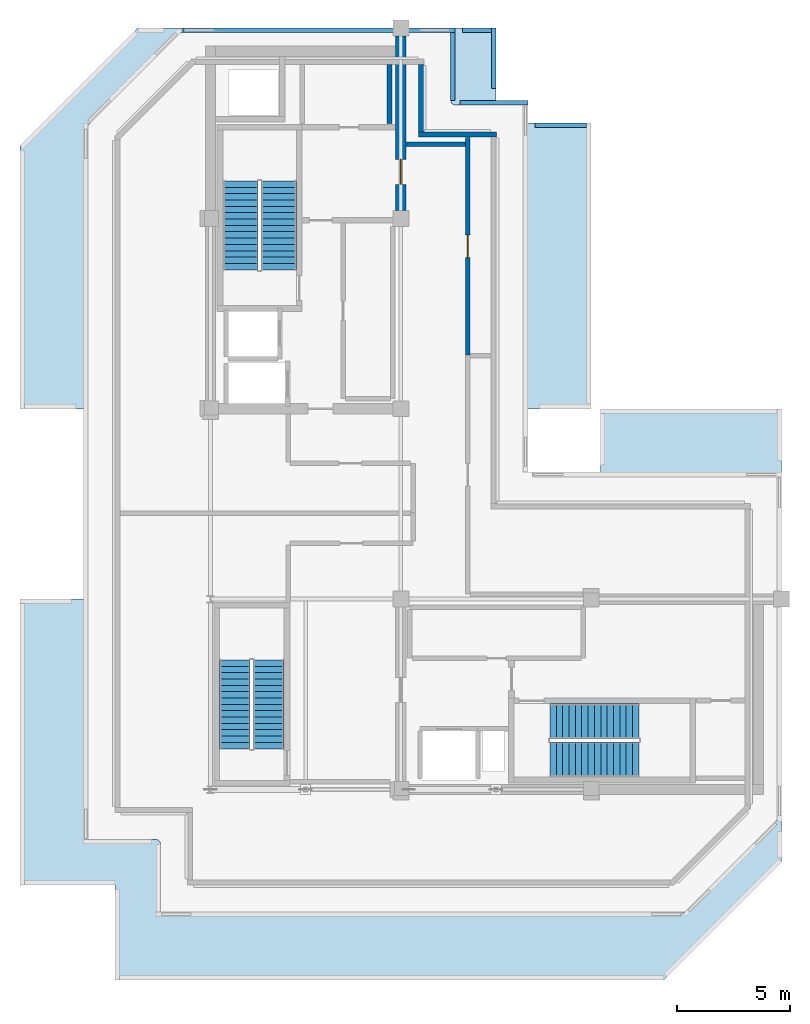
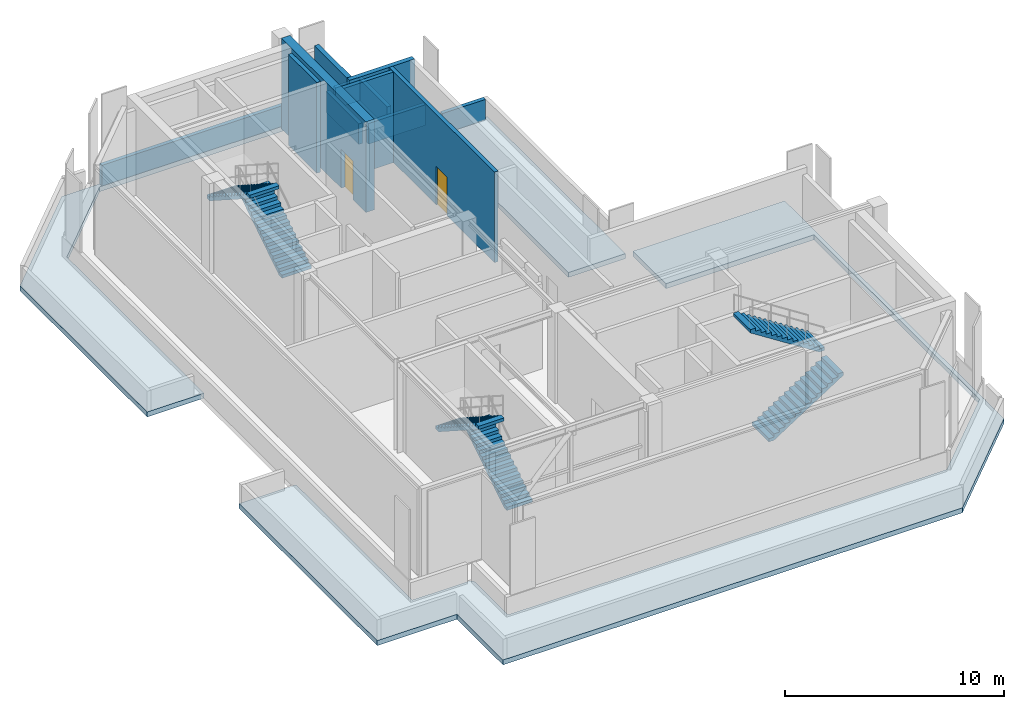
# One storey, part 6 of 9: 12 walls, 6 stair flights, 3 roofs, 2 doors, 2 openings, 3 elements without a shape of their own.
"""IFC4 building model written with IfcOpenShell, lengths in metres."""

from ifc_helpers import new_model, si_unit, direction, frame, frame_2d, origin, place, context, subcontext, project, spatial, polyline, rectangle, outline, extrude, material, layer, layer_set, type_object, element, fill, aggregate, save


model = new_model("IFC4")

# Units and contexts
model_context = context("Model", 3, precision=1e-05, world=origin(), true_north=direction((0.0, 1.0)))
body_context = subcontext(model_context, "Body", "Model", "MODEL_VIEW")
ifc_project = project(units=[si_unit("LENGTHUNIT", "METRE"), si_unit("AREAUNIT", "SQUARE_METRE"), si_unit("VOLUMEUNIT", "CUBIC_METRE"), si_unit("PLANEANGLEUNIT", "RADIAN"), si_unit("MASSUNIT", "GRAM", prefix="KILO")], contexts=[model_context])

# Site, building, storey
site_placement = place(None, origin())
site = spatial("IfcSite", under=ifc_project, at=site_placement, CompositionType="ELEMENT")
building_placement = place(site_placement, origin())
building = spatial("IfcBuilding", under=site, at=building_placement, Name="Nerrivon Quay Data Exchange", CompositionType="ELEMENT")
storey_placement = place(building_placement, frame((0.0, 0.0, 333.0)))
storey = spatial("IfcBuildingStorey", under=building, at=storey_placement, Name="L79", CompositionType="ELEMENT", Elevation=333.0)

# Walls
ifc_material_1 = material(Name="Architectural terracotta precast concrete N50 (50 MPa)", Category="masonry")
ifc_layer_1 = layer(ifc_material_1, 0.239990234375)
ifc_layer_set_1 = layer_set([ifc_layer_1], Name="Architectural terracotta precast concrete N50 (50 MPa)")
wall_type_1 = type_object("IfcWallType", Name="EW-PREC-240", PredefinedType="STANDARD", material=ifc_layer_set_1)
wall_1_placement = place(storey_placement, frame((17.699951171875, 40.3798828125, 0.0), z_axis=(0.0, 0.0, 1.0), x_axis=(0.0, -1.0, 0.0)))
element("IfcWall", 1, at=wall_1_placement, inside=storey, type_object=wall_type_1, Name="L79 Recessed Turbine Plant Wall 9", PredefinedType="STANDARD", context=body_context, shape_type="SweptSolid", body=[
    extrude(rectangle(XDim=2.9599609375, YDim=0.239990234375, at=frame_2d((1.47998046875, 0.0))), origin(), (0.0, 0.0, 1.0), 5.050048828125),
])
wall_2_placement = place(storey_placement, frame((17.580078125, 37.300048828125, 0.0), z_axis=(0.0, 0.0, 1.0), x_axis=(1.0, 0.0, 0.0)))
element("IfcWall", 2, at=wall_2_placement, inside=storey, type_object=wall_type_1, Name="L79 Recessed Turbine Plant Wall 10", PredefinedType="STANDARD", context=body_context, shape_type="SweptSolid", body=[
    extrude(rectangle(XDim=3.43994140625, YDim=0.239990234375, at=frame_2d((1.719970703125, 0.0))), origin(), (0.0, 0.0, 1.0), 5.050048828125),
])
ifc_material_2 = material(Name="Precast concrete N50 (50 MPa)", Category="concrete")
ifc_layer_2 = layer(ifc_material_2, 0.199951171875)
ifc_layer_set_2 = layer_set([ifc_layer_2], Name="Precast concrete N50 (50 MPa)")
wall_type_2 = type_object("IfcWallType", Name="PAR-RC-1", PredefinedType="PARAPET", material=ifc_layer_set_2)
wall_3_placement = place(storey_placement, frame((20.89990234375, 39.320068359375, 0.0), z_axis=(0.0, 0.0, 1.0), x_axis=(0.0, 1.0, 0.0)))
element("IfcWall", 3, at=wall_3_placement, inside=storey, type_object=wall_type_2, Name="L79 Stepped Crown Parapet 2.3", PredefinedType="PARAPET", context=body_context, shape_type="SweptSolid", body=[
    extrude(rectangle(XDim=2.679931640625, YDim=0.199951171875, at=frame_2d((1.33984375, 0.0))), origin(), (0.0, 0.0, 1.0), 1.14990234375),
])
wall_4_placement = place(storey_placement, frame((20.800048828125, 41.89990234375, 0.0), z_axis=(0.0, 0.0, 1.0), x_axis=(-1.0, 0.0, 0.0)))
element("IfcWall", 4, at=wall_4_placement, inside=storey, type_object=wall_type_2, Name="L79 Stepped Crown Parapet 2.4", PredefinedType="PARAPET", context=body_context, shape_type="SweptSolid", body=[
    extrude(rectangle(XDim=1.280029296875, YDim=0.199951171875, at=frame_2d((0.64013671875, 0.0))), origin(), (0.0, 0.0, 1.0), 1.14990234375),
])
wall_5_placement = place(storey_placement, frame((25.0, 37.699951171875, 0.0), z_axis=(0.0, 0.0, 1.0), x_axis=(-1.0, 0.0, 0.0)))
element("IfcWall", 5, at=wall_5_placement, inside=storey, type_object=wall_type_2, Name="L79 Stepped Crown Parapet 3.3", PredefinedType="PARAPET", context=body_context, shape_type="SweptSolid", body=[
    extrude(rectangle(XDim=2.280029296875, YDim=0.199951171875, at=frame_2d((1.14013671875, 0.0))), origin(), (0.0, 0.0, 1.0), 1.14990234375),
])
wall_6_placement = place(storey_placement, frame((7.199951171875, 41.89990234375, 0.0), z_axis=(0.0, 0.0, 1.0), x_axis=(1.0, 0.0, 0.0)))
element("IfcWall", 6, at=wall_6_placement, inside=storey, type_object=wall_type_2, Name="L79 Turbine Slot Perimeter Parapet 7", PredefinedType="PARAPET", context=body_context, shape_type="SweptSolid", body=[
    extrude(rectangle(XDim=12.0, YDim=0.199951171875, at=frame_2d((6.0, 0.0))), origin(), (0.0, 0.0, 1.0), 1.14990234375),
])
for number, where, z_axis, x_axis, name in (
    (7, (19.10009765625, 41.800048828125, 0.0), (0.0, 0.0, 1.0), (0.0, -1.0, 0.0), "L79 Turbine Slot Perimeter Parapet 8"),
    (8, (19.39990234375, 38.699951171875, 0.0), (0.0, 0.0, 1.0), (1.0, 0.0, 0.0), "L79 Turbine Slot Perimeter Parapet 9"),
):
    element("IfcWall", number, at=place(storey_placement, frame(where, z_axis=z_axis, x_axis=x_axis)), inside=storey, type_object=wall_type_2, Name=name, PredefinedType="PARAPET", context=body_context, shape_type="SweptSolid", body=[
        extrude(rectangle(XDim=3.0, YDim=0.199951171875, at=frame_2d((1.5, 0.0))), origin(), (0.0, 0.0, 1.0), 1.14990234375),
    ])

# Wall, opening, door
ifc_material_3 = material(Name="Concrete N50 (50 MPa)", Category="concrete")
ifc_layer_3 = layer(ifc_material_3, 0.449951171875)
ifc_layer_set_3 = layer_set([ifc_layer_3], Name="Concrete N50 (50 MPa)")
wall_type_3 = type_object("IfcWallType", Name="WALL-CW-550", PredefinedType="SHEAR", material=ifc_layer_set_3)
wall_7_placement = place(storey_placement, frame((16.800048828125, 33.949951171875, 0.0), z_axis=(0.0, 0.0, 1.0), x_axis=(0.0, 1.0, 0.0)))
wall_7 = element("IfcWall", 9, at=wall_7_placement, inside=storey, type_object=wall_type_3, Name="L79 West Split-Core Shear Wall WCW-E1", PredefinedType="SHEAR", context=body_context, shape_type="SweptSolid", body=[
    extrude(rectangle(XDim=7.699951171875, YDim=0.449951171875, at=frame_2d((3.85009765625, 0.0))), origin(), (0.0, 0.0, 1.0), 5.050048828125),
])
opening_1_placement = place(wall_7_placement, frame((1.14990234375, 0.0, 0.0)))
opening_1 = element("IfcOpeningElement", 10, at=opening_1_placement, cuts=wall_7, Name="Opening FD-120", PredefinedType="OPENING", context=body_context, shape_type="SweptSolid", body=[
    extrude(rectangle(XDim=1.10009765625, YDim=2.14990234375, at=frame_2d((0.550048828125, 1.074951171875))), frame((0.0, 0.23486328125, 0.0), z_axis=(0.0, -1.0, 0.0), x_axis=(1.0, 0.0, 0.0)), (0.0, 0.0, 1.0), 0.469970703125),
])
ifc_material_4 = material(Name="Powder-coated galvanized steel sheet", Category="steel")
door_type_1 = type_object("IfcDoorType", Name="DR-FD120-1100", OperationType="NOTDEFINED", PredefinedType="DOOR", material=ifc_material_4)
door_1_placement = place(opening_1_placement, origin())
door_1 = element("IfcDoor", 11, at=door_1_placement, inside=storey, type_object=door_type_1, Name="L79 West Core Lobby Fire Door", OperationType="SINGLE_SWING_RIGHT", OverallHeight=2.14990234375, OverallWidth=1.10009765625, PredefinedType="DOOR", context=body_context, shape_type="SweptSolid", body=[
    extrude(rectangle(XDim=1.10009765625, YDim=2.14990234375, at=frame_2d((0.550048828125, 1.074951171875))), frame((0.0, 0.02490234375, 0.0), z_axis=(0.0, -1.0, 0.0), x_axis=(1.0, 0.0, 0.0)), (0.0, 0.0, 1.0), 0.050048828125),
])
fill(opening_1, door_1)

# Wall
ifc_material_5 = material(Name="Gypsum plasterboard on cold-formed framing", Category="gypsum")
ifc_layer_4 = layer(ifc_material_5, 0.199951171875)
ifc_layer_set_4 = layer_set([ifc_layer_4], Name="Gypsum plasterboard on cold-formed framing")
wall_type_4 = type_object("IfcWallType", Name="WALL-FW-200", PredefinedType="PARTITIONING", material=ifc_layer_set_4)
wall_8_placement = place(storey_placement, frame((16.300048828125, 37.780029296875, 0.0), z_axis=(0.0, 0.0, 1.0), x_axis=(0.0, 1.0, 0.0)))
element("IfcWall", 12, at=wall_8_placement, inside=storey, type_object=wall_type_4, Name="L79 Partition Electrical Switchboard Closet", PredefinedType="PARTITIONING", context=body_context, shape_type="SweptSolid", body=[
    extrude(rectangle(XDim=2.595947265625, YDim=0.199951171875, at=frame_2d((1.2978515625, 0.0))), origin(), (0.0, 0.0, 1.0), 5.050048828125),
])

# Wall, opening, door
wall_9_placement = place(storey_placement, frame((19.760009765625, 37.176025390625, 0.0), z_axis=(0.0, 0.0, 1.0), x_axis=(0.0, -1.0, 0.0)))
wall_9 = element("IfcWall", 13, at=wall_9_placement, inside=storey, type_object=wall_type_4, Name="L79 Partition Crown BMS Telecom Plant Room", PredefinedType="PARTITIONING", context=body_context, shape_type="SweptSolid", body=[
    extrude(rectangle(XDim=9.6123046875, YDim=0.199951171875, at=frame_2d((4.80615234375, 0.0))), origin(), (0.0, 0.0, 1.0), 5.050048828125),
])
opening_2_placement = place(wall_9_placement, frame((4.30615234375, 0.0, 0.0)))
opening_2 = element("IfcOpeningElement", 14, at=opening_2_placement, cuts=wall_9, Name="Opening FD-60", PredefinedType="OPENING", context=body_context, shape_type="SweptSolid", body=[
    extrude(rectangle(XDim=1.0, YDim=2.14990234375, at=frame_2d((0.5, 1.074951171875))), frame((0.0, 0.10986328125, 0.0), z_axis=(0.0, -1.0, 0.0), x_axis=(1.0, 0.0, 0.0)), (0.0, 0.0, 1.0), 0.219970703125),
])
ifc_material_6 = material(Name="Engineered hardwood timber", Category="wood")
door_type_2 = type_object("IfcDoorType", Name="DR-FD60-1000", OperationType="NOTDEFINED", PredefinedType="DOOR", material=ifc_material_6)
door_2_placement = place(opening_2_placement, origin())
door_2 = element("IfcDoor", 15, at=door_2_placement, inside=storey, type_object=door_type_2, Name="L79 Door Crown BMS Telecom Plant Room", OperationType="SINGLE_SWING_LEFT", OverallHeight=2.14990234375, OverallWidth=1.0, PredefinedType="DOOR", context=body_context, shape_type="SweptSolid", body=[
    extrude(rectangle(XDim=1.0, YDim=2.14990234375, at=frame_2d((0.5, 1.074951171875))), frame((0.0, 0.02490234375, 0.0), z_axis=(0.0, -1.0, 0.0), x_axis=(1.0, 0.0, 0.0)), (0.0, 0.0, 1.0), 0.050048828125),
])
fill(opening_2, door_2)

# Wall
wall_10_placement = place(storey_placement, frame((17.029052734375, 36.860107421875, 0.0), z_axis=(0.0, 0.0, 1.0), x_axis=(1.0, 0.0, 0.0)))
element("IfcWall", 16, at=wall_10_placement, inside=storey, type_object=wall_type_4, Name="L79 Partition Crown BMS Telecom Plant Room", PredefinedType="PARTITIONING", context=body_context, shape_type="SweptSolid", body=[
    extrude(rectangle(XDim=2.626953125, YDim=0.199951171875, at=frame_2d((1.3134765625, 0.0))), origin(), (0.0, 0.0, 1.0), 5.050048828125),
])

# Stair, stair flights
stair_type = type_object("IfcStairType", Name="STAIR-DOG-54", PredefinedType="HALF_TURN_STAIR", material=ifc_material_3)
stair_1_placement = place(storey_placement, origin())
stair_1 = element("IfcStair", 17, at=stair_1_placement, inside=storey, type_object=stair_type, Name="L79 West Core Fire Stair ST01", PredefinedType="HALF_TURN_STAIR")
stair_flight_type = type_object("IfcStairFlightType", Name="FLIGHT-DOG-54", PredefinedType="STRAIGHT", material=ifc_material_3)
stair_flight_1_placement = place(storey_placement, frame((11.425048828125, 31.330078125, 0.0), z_axis=(0.0, 0.0, 1.0), x_axis=(0.0, 1.0, 0.0)))
stair_flight_1 = element("IfcStairFlight", 18, at=stair_flight_1_placement, type_object=stair_flight_type, Name="ST01 flight 1", NumberOfRisers=15, NumberOfTreads=14, PredefinedType="STRAIGHT", RiserHeight=0.18, TreadLength=0.28, context=body_context, shape_type="SweptSolid", body=[
    extrude(outline(polyline([(0.0, 0.0), (0.0, 0.179931640625), (0.280029296875, 0.179931640625), (0.280029296875, 0.360107421875), (0.56005859375, 0.360107421875), (0.56005859375, 0.5400390625), (0.840087890625, 0.5400390625), (0.840087890625, 0.719970703125), (1.1201171875, 0.719970703125), (1.1201171875, 0.89990234375), (1.39990234375, 0.89990234375), (1.39990234375, 1.080078125), (1.679931640625, 1.080078125), (1.679931640625, 1.260009765625), (1.9599609375, 1.260009765625), (1.9599609375, 1.43994140625), (2.239990234375, 1.43994140625), (2.239990234375, 1.6201171875), (2.52001953125, 1.6201171875), (2.52001953125, 1.800048828125), (2.800048828125, 1.800048828125), (2.800048828125, 1.97998046875), (3.080078125, 1.97998046875), (3.080078125, 2.159912109375), (3.360107421875, 2.159912109375), (3.360107421875, 2.340087890625), (3.639892578125, 2.340087890625), (3.639892578125, 2.52001953125), (3.919921875, 2.52001953125), (3.919921875, 2.699951171875), (3.919921875, 2.341796875), (0.277099609375, 0.0), (0.0, 0.0)])), frame((0.0, 0.77490234375, 0.0), z_axis=(0.0, -1.0, 0.0), x_axis=(1.0, 0.0, 0.0)), (0.0, 0.0, 1.0), 1.550048828125),
])
stair_flight_2_placement = place(storey_placement, frame((9.72509765625, 35.25, 2.699951171875), z_axis=(0.0, 0.0, 1.0), x_axis=(0.0, -1.0, 0.0)))
stair_flight_2 = element("IfcStairFlight", 19, at=stair_flight_2_placement, type_object=stair_flight_type, Name="ST01 flight 2", NumberOfRisers=15, NumberOfTreads=14, PredefinedType="STRAIGHT", RiserHeight=0.18, TreadLength=0.28, context=body_context, shape_type="SweptSolid", body=[
    extrude(outline(polyline([(0.0, 0.0), (0.0, 0.179931640625), (0.280029296875, 0.179931640625), (0.280029296875, 0.360107421875), (0.56005859375, 0.360107421875), (0.56005859375, 0.5400390625), (0.840087890625, 0.5400390625), (0.840087890625, 0.719970703125), (1.1201171875, 0.719970703125), (1.1201171875, 0.89990234375), (1.39990234375, 0.89990234375), (1.39990234375, 1.080078125), (1.679931640625, 1.080078125), (1.679931640625, 1.260009765625), (1.9599609375, 1.260009765625), (1.9599609375, 1.43994140625), (2.239990234375, 1.43994140625), (2.239990234375, 1.6201171875), (2.52001953125, 1.6201171875), (2.52001953125, 1.800048828125), (2.800048828125, 1.800048828125), (2.800048828125, 1.97998046875), (3.080078125, 1.97998046875), (3.080078125, 2.159912109375), (3.360107421875, 2.159912109375), (3.360107421875, 2.340087890625), (3.639892578125, 2.340087890625), (3.639892578125, 2.52001953125), (3.919921875, 2.52001953125), (3.919921875, 2.699951171875), (3.919921875, 2.341796875), (0.277099609375, 0.0), (0.0, 0.0)])), frame((0.0, 0.77490234375, 0.0), z_axis=(0.0, -1.0, 0.0), x_axis=(1.0, 0.0, 0.0)), (0.0, 0.0, 1.0), 1.550048828125),
])
aggregate(stair_1, [stair_flight_1, stair_flight_2])

stair_2_placement = place(storey_placement, origin())
stair_2 = element("IfcStair", 20, at=stair_2_placement, inside=storey, type_object=stair_type, Name="L79 East Core Fire Stair ST02", PredefinedType="HALF_TURN_STAIR")
stair_flight_3_placement = place(storey_placement, frame((23.3798828125, 9.72509765625, 0.0), z_axis=(0.0, 0.0, 1.0), x_axis=(1.0, 0.0, 0.0)))
stair_flight_3 = element("IfcStairFlight", 21, at=stair_flight_3_placement, type_object=stair_flight_type, Name="ST02 flight 1", NumberOfRisers=15, NumberOfTreads=14, PredefinedType="STRAIGHT", RiserHeight=0.18, TreadLength=0.28, context=body_context, shape_type="SweptSolid", body=[
    extrude(outline(polyline([(0.0, 0.0), (0.0, 0.179931640625), (0.280029296875, 0.179931640625), (0.280029296875, 0.360107421875), (0.56005859375, 0.360107421875), (0.56005859375, 0.5400390625), (0.840087890625, 0.5400390625), (0.840087890625, 0.719970703125), (1.1201171875, 0.719970703125), (1.1201171875, 0.89990234375), (1.39990234375, 0.89990234375), (1.39990234375, 1.080078125), (1.679931640625, 1.080078125), (1.679931640625, 1.260009765625), (1.9599609375, 1.260009765625), (1.9599609375, 1.43994140625), (2.239990234375, 1.43994140625), (2.239990234375, 1.6201171875), (2.52001953125, 1.6201171875), (2.52001953125, 1.800048828125), (2.800048828125, 1.800048828125), (2.800048828125, 1.97998046875), (3.080078125, 1.97998046875), (3.080078125, 2.159912109375), (3.360107421875, 2.159912109375), (3.360107421875, 2.340087890625), (3.639892578125, 2.340087890625), (3.639892578125, 2.52001953125), (3.919921875, 2.52001953125), (3.919921875, 2.699951171875), (3.919921875, 2.341796875), (0.277099609375, 0.0), (0.0, 0.0)])), frame((0.0, 0.77490234375, 0.0), z_axis=(0.0, -1.0, 0.0), x_axis=(1.0, 0.0, 0.0)), (0.0, 0.0, 1.0), 1.550048828125),
])
stair_flight_4_placement = place(storey_placement, frame((27.300048828125, 11.425048828125, 2.699951171875), z_axis=(0.0, 0.0, 1.0), x_axis=(-1.0, 0.0, 0.0)))
stair_flight_4 = element("IfcStairFlight", 22, at=stair_flight_4_placement, type_object=stair_flight_type, Name="ST02 flight 2", NumberOfRisers=15, NumberOfTreads=14, PredefinedType="STRAIGHT", RiserHeight=0.18, TreadLength=0.28, context=body_context, shape_type="SweptSolid", body=[
    extrude(outline(polyline([(0.0, 0.0), (0.0, 0.179931640625), (0.280029296875, 0.179931640625), (0.280029296875, 0.360107421875), (0.56005859375, 0.360107421875), (0.56005859375, 0.5400390625), (0.840087890625, 0.5400390625), (0.840087890625, 0.719970703125), (1.1201171875, 0.719970703125), (1.1201171875, 0.89990234375), (1.39990234375, 0.89990234375), (1.39990234375, 1.080078125), (1.679931640625, 1.080078125), (1.679931640625, 1.260009765625), (1.9599609375, 1.260009765625), (1.9599609375, 1.43994140625), (2.239990234375, 1.43994140625), (2.239990234375, 1.6201171875), (2.52001953125, 1.6201171875), (2.52001953125, 1.800048828125), (2.800048828125, 1.800048828125), (2.800048828125, 1.97998046875), (3.080078125, 1.97998046875), (3.080078125, 2.159912109375), (3.360107421875, 2.159912109375), (3.360107421875, 2.340087890625), (3.639892578125, 2.340087890625), (3.639892578125, 2.52001953125), (3.919921875, 2.52001953125), (3.919921875, 2.699951171875), (3.919921875, 2.341796875), (0.277099609375, 0.0), (0.0, 0.0)])), frame((0.0, 0.77490234375, 0.0), z_axis=(0.0, -1.0, 0.0), x_axis=(1.0, 0.0, 0.0)), (0.0, 0.0, 1.0), 1.550048828125),
])
aggregate(stair_2, [stair_flight_3, stair_flight_4])

stair_3_placement = place(storey_placement, origin())
stair_3 = element("IfcStair", 23, at=stair_3_placement, inside=storey, type_object=stair_type, Name="L79 Crown Maintenance Stair ST08", PredefinedType="HALF_TURN_STAIR")
stair_flight_5_placement = place(storey_placement, frame((10.97509765625, 10.199951171875, 0.0), z_axis=(0.0, 0.0, 1.0), x_axis=(0.0, 1.0, 0.0)))
stair_flight_5 = element("IfcStairFlight", 24, at=stair_flight_5_placement, type_object=stair_flight_type, Name="ST08 flight 1", NumberOfRisers=15, NumberOfTreads=14, PredefinedType="STRAIGHT", RiserHeight=0.18, TreadLength=0.28, context=body_context, shape_type="SweptSolid", body=[
    extrude(outline(polyline([(0.0, 0.0), (0.0, 0.179931640625), (0.280029296875, 0.179931640625), (0.280029296875, 0.360107421875), (0.56005859375, 0.360107421875), (0.56005859375, 0.5400390625), (0.840087890625, 0.5400390625), (0.840087890625, 0.719970703125), (1.1201171875, 0.719970703125), (1.1201171875, 0.89990234375), (1.39990234375, 0.89990234375), (1.39990234375, 1.080078125), (1.679931640625, 1.080078125), (1.679931640625, 1.260009765625), (1.9599609375, 1.260009765625), (1.9599609375, 1.43994140625), (2.239990234375, 1.43994140625), (2.239990234375, 1.6201171875), (2.52001953125, 1.6201171875), (2.52001953125, 1.800048828125), (2.800048828125, 1.800048828125), (2.800048828125, 1.97998046875), (3.080078125, 1.97998046875), (3.080078125, 2.159912109375), (3.360107421875, 2.159912109375), (3.360107421875, 2.340087890625), (3.639892578125, 2.340087890625), (3.639892578125, 2.52001953125), (3.919921875, 2.52001953125), (3.919921875, 2.699951171875), (3.919921875, 2.341796875), (0.277099609375, 0.0), (0.0, 0.0)])), frame((0.0, 0.675048828125, 0.0), z_axis=(0.0, -1.0, 0.0), x_axis=(1.0, 0.0, 0.0)), (0.0, 0.0, 1.0), 1.35009765625),
])
stair_flight_6_placement = place(storey_placement, frame((9.47509765625, 14.1201171875, 2.699951171875), z_axis=(0.0, 0.0, 1.0), x_axis=(0.0, -1.0, 0.0)))
stair_flight_6 = element("IfcStairFlight", 25, at=stair_flight_6_placement, type_object=stair_flight_type, Name="ST08 flight 2", NumberOfRisers=15, NumberOfTreads=14, PredefinedType="STRAIGHT", RiserHeight=0.18, TreadLength=0.28, context=body_context, shape_type="SweptSolid", body=[
    extrude(outline(polyline([(0.0, 0.0), (0.0, 0.179931640625), (0.280029296875, 0.179931640625), (0.280029296875, 0.360107421875), (0.56005859375, 0.360107421875), (0.56005859375, 0.5400390625), (0.840087890625, 0.5400390625), (0.840087890625, 0.719970703125), (1.1201171875, 0.719970703125), (1.1201171875, 0.89990234375), (1.39990234375, 0.89990234375), (1.39990234375, 1.080078125), (1.679931640625, 1.080078125), (1.679931640625, 1.260009765625), (1.9599609375, 1.260009765625), (1.9599609375, 1.43994140625), (2.239990234375, 1.43994140625), (2.239990234375, 1.6201171875), (2.52001953125, 1.6201171875), (2.52001953125, 1.800048828125), (2.800048828125, 1.800048828125), (2.800048828125, 1.97998046875), (3.080078125, 1.97998046875), (3.080078125, 2.159912109375), (3.360107421875, 2.159912109375), (3.360107421875, 2.340087890625), (3.639892578125, 2.340087890625), (3.639892578125, 2.52001953125), (3.919921875, 2.52001953125), (3.919921875, 2.699951171875), (3.919921875, 2.341796875), (0.277099609375, 0.0), (0.0, 0.0)])), frame((0.0, 0.675048828125, 0.0), z_axis=(0.0, -1.0, 0.0), x_axis=(1.0, 0.0, 0.0)), (0.0, 0.0, 1.0), 1.35009765625),
])
aggregate(stair_3, [stair_flight_5, stair_flight_6])

# Roofs
ifc_layer_5 = layer(ifc_material_3, 0.300048828125)
ifc_layer_set_5 = layer_set([ifc_layer_5], Name="Concrete N50 (50 MPa)")
roof_type = type_object("IfcRoofType", Name="ROOF-CROWN-300", PredefinedType="FLAT_ROOF", material=ifc_layer_set_5)
roof_1_placement = place(storey_placement, frame((0.0, 0.0, -0.27490234375)))
element("IfcRoof", 26, at=roof_1_placement, inside=storey, type_object=roof_type, Name="L79 Stepped Crown Cap Roof 1", PredefinedType="FLAT_ROOF", context=body_context, shape_type="SweptSolid", body=[
    extrude(outline(polyline([(33.60009765625, 25.199951171875), (25.60009765625, 25.199951171875), (25.60009765625, 22.199951171875), (33.39990234375, 22.199951171875), (33.39990234375, 7.082763671875), (29.317138671875, 3.0), (6.199951171875, 3.0), (6.199951171875, 6.0), (6.1962890625, 6.0390625), (6.184814453125, 6.076416015625), (6.166259765625, 6.111083984375), (6.141357421875, 6.141357421875), (6.111083984375, 6.166259765625), (6.076416015625, 6.184814453125), (6.0390625, 6.1962890625), (6.0, 6.199951171875), (3.0, 6.199951171875), (3.0, 16.800048828125), (0.0, 16.800048828125), (0.0, 4.199951171875), (4.199951171875, 4.199951171875), (4.199951171875, 0.0), (28.39990234375, 0.0), (33.60009765625, 5.199951171875), (33.60009765625, 25.199951171875)])), origin(), (0.0, 0.0, 1.0), 0.27490234375),
])
roof_2_placement = place(storey_placement, frame((0.0, 0.0, -0.27490234375)))
element("IfcRoof", 27, at=roof_2_placement, inside=storey, type_object=roof_type, Name="L79 Stepped Crown Cap Roof 2", PredefinedType="FLAT_ROOF", context=body_context, shape_type="SweptSolid", body=[
    extrude(outline(polyline([(0.0, 36.800048828125), (0.0, 25.199951171875), (3.0, 25.199951171875), (3.0, 37.71728515625), (7.082763671875, 41.800048828125), (19.0, 41.800048828125), (19.0, 38.800048828125), (19.00390625, 38.760986328125), (19.008544921875, 38.741943359375), (19.023681640625, 38.705810546875), (19.03369140625, 38.68896484375), (19.04541015625, 38.673095703125), (19.072998046875, 38.6455078125), (19.105712890625, 38.62353515625), (19.141845703125, 38.608642578125), (19.180419921875, 38.60107421875), (19.199951171875, 38.60009765625), (21.0, 38.60009765625), (21.0, 42.0), (5.199951171875, 42.0), (0.0, 36.800048828125)])), origin(), (0.0, 0.0, 1.0), 0.27490234375),
])
roof_3_placement = place(storey_placement, frame((0.0, 0.0, -0.27490234375)))
element("IfcRoof", 28, at=roof_3_placement, inside=storey, type_object=roof_type, Name="L79 Stepped Crown Cap Roof 3", PredefinedType="FLAT_ROOF", context=body_context, shape_type="SweptSolid", body=[
    extrude(outline(polyline([(22.199951171875, 37.800048828125), (22.199951171875, 25.199951171875), (25.199951171875, 25.199951171875), (25.199951171875, 37.800048828125), (22.199951171875, 37.800048828125)])), origin(), (0.0, 0.0, 1.0), 0.27490234375),
])

save(model, "model.ifc")
